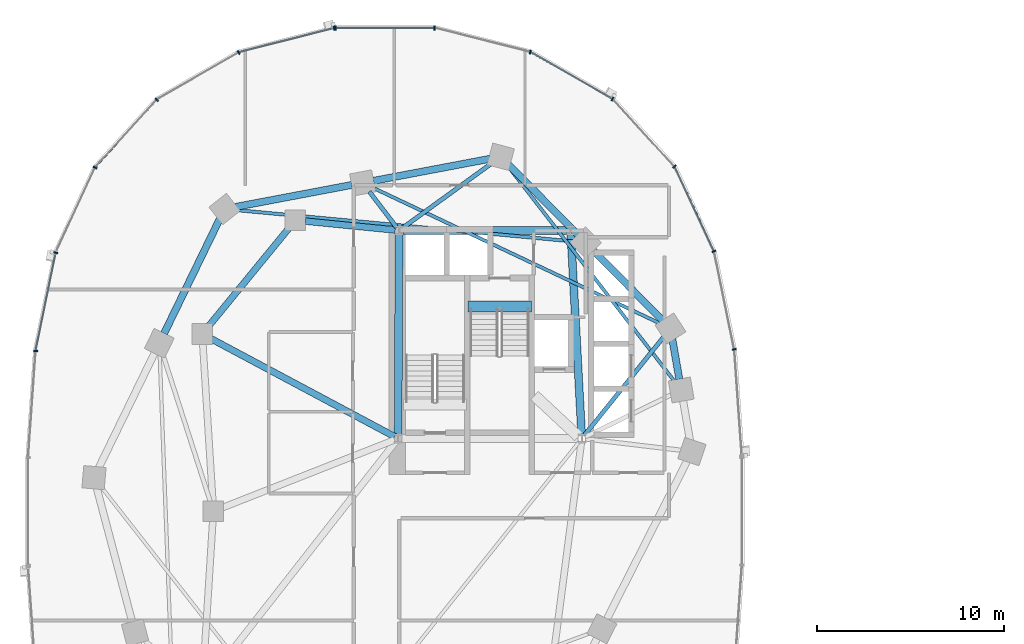
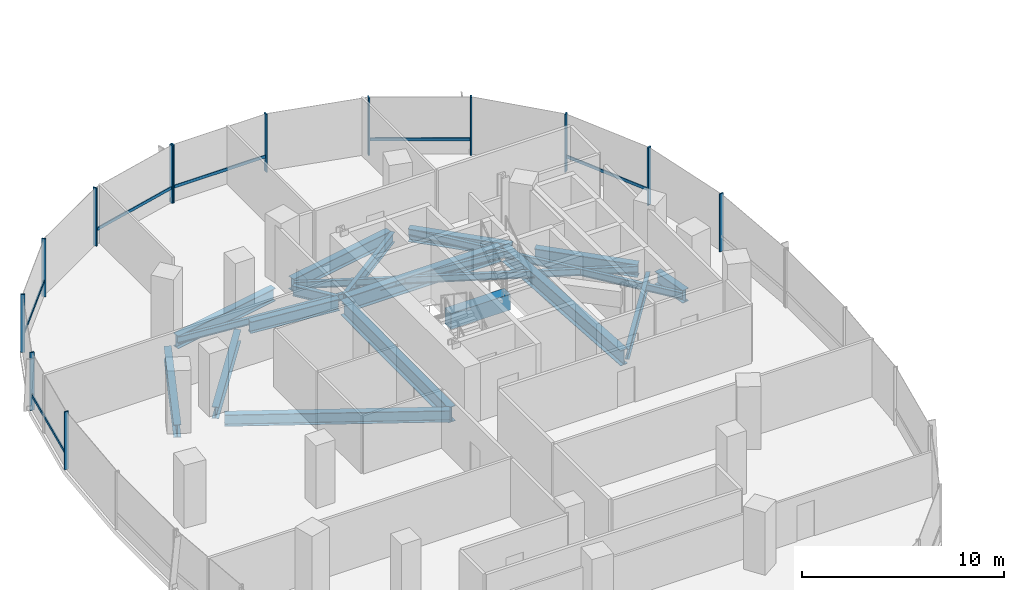
# One storey, part 4 of 21: 19 beams, 19 members, 2 elements without a shape of their own.
"""IFC4 building model written with IfcOpenShell, lengths in metres."""

from ifc_helpers import new_model, si_unit, direction, frame, origin, origin_2d, place, context, subcontext, project, spatial, rectangle, i_section, extrude, material, material_profile, profile_set, type_object, element, aggregate, save


model = new_model("IFC4")

# Units and contexts
model_context = context("Model", 3, precision=1e-05, world=origin(), true_north=direction((0.0, 1.0)))
body_context = subcontext(model_context, "Body", "Model", "MODEL_VIEW")
ifc_project = project(units=[si_unit("LENGTHUNIT", "METRE"), si_unit("AREAUNIT", "SQUARE_METRE"), si_unit("VOLUMEUNIT", "CUBIC_METRE"), si_unit("PLANEANGLEUNIT", "RADIAN"), si_unit("MASSUNIT", "GRAM", prefix="KILO"), si_unit("THERMODYNAMICTEMPERATUREUNIT", "KELVIN"), si_unit("POWERUNIT", "WATT")], contexts=[model_context])

# Site, building, storey
site_placement = place(None, origin())
site = spatial("IfcSite", under=ifc_project, at=site_placement, CompositionType="ELEMENT")
building_placement = place(site_placement, origin())
building = spatial("IfcBuilding", under=site, at=building_placement, Name="Cundina Bronze Exchange", CompositionType="ELEMENT")
storey_placement = place(building_placement, frame((0.0, 0.0, 65.800048828125)))
storey = spatial("IfcBuildingStorey", under=building, at=storey_placement, Name="L16", CompositionType="ELEMENT", Elevation=65.800048828125)

# Beams
ifc_material_1 = material(Name="Concrete C60/75", Category="concrete")
ifc_material_profile_1 = material_profile(ifc_material_1, rectangle(XDim=0.60009765625, YDim=0.949951171875, at=origin_2d()), Name="RC600X950", Category="concrete")
ifc_profile_set_1 = profile_set([ifc_material_profile_1], Name="Concrete C60/75")
beam_type_1 = type_object("IfcBeamType", Name="BM-COUP-RC950", PredefinedType="LINTEL", material=ifc_profile_set_1)
beam_1_placement = place(storey_placement, frame((-27.56005859375, 10.97998046875, -0.47509765625), z_axis=(1.0, 0.0, 0.0), x_axis=(0.0, 1.0, 0.0)))
element("IfcBeam", 1, at=beam_1_placement, inside=storey, type_object=beam_type_1, Name="L16 Stair W2 Landing Header Beam", PredefinedType="LINTEL", context=body_context, shape_type="SweptSolid", body=[
    extrude(rectangle(XDim=0.60009765625, YDim=0.949951171875, at=origin_2d()), origin(), (0.0, 0.0, 1.0), 3.400146484375),
])
ifc_material_2 = material(Name="Steel ASTM A992 Grade 50", Category="steel")
ifc_material_profile_2 = material_profile(ifc_material_2, i_section(OverallWidth=0.22998046875, OverallDepth=0.616943359375, WebThickness=0.01318359375, FlangeThickness=0.022216796875, FilletRadius=0.013916015625, at=origin_2d()), Name="W24X94", Category="steel")
ifc_profile_set_2 = profile_set([ifc_material_profile_2], Name="Steel ASTM A992 Grade 50")
beam_type_2 = type_object("IfcBeamType", Name="BM-FLR-W24B", PredefinedType="BEAM", material=ifc_profile_set_2)
beam_2_placement = place(storey_placement, frame((-21.322021484375, 4.058837890625, -0.608642578125), z_axis=(0.627106366175, 0.778933633568, 0.0), x_axis=(-0.778933633568, 0.627106366175, 0.0)))
element("IfcBeam", 2, at=beam_2_placement, inside=storey, type_object=beam_type_2, Name="L16 Leg W Radial Floor Beam 02", PredefinedType="BEAM", context=body_context, shape_type="SweptSolid", body=[
    extrude(i_section(OverallWidth=0.22998046875, OverallDepth=0.616943359375, WebThickness=0.01318359375, FlangeThickness=0.022216796875, FilletRadius=0.013916015625, at=origin_2d()), origin(), (0.0, 0.0, 1.0), 6.78271484375),
])
beam_3_placement = place(storey_placement, frame((-31.084716796875, 15.169677734375, -0.608642578125), z_axis=(0.809700299677, 0.586843611794, 0.0), x_axis=(-0.586843611794, 0.809700299677, 0.0)))
element("IfcBeam", 3, at=beam_3_placement, inside=storey, type_object=beam_type_2, Name="L16 Leg W Radial Floor Beam 04", PredefinedType="BEAM", context=body_context, shape_type="SweptSolid", body=[
    extrude(i_section(OverallWidth=0.22998046875, OverallDepth=0.616943359375, WebThickness=0.01318359375, FlangeThickness=0.022216796875, FilletRadius=0.013916015625, at=origin_2d()), origin(), (0.0, 0.0, 1.0), 5.938720703125),
])
beam_4_placement = place(storey_placement, frame((-31.373779296875, 15.2119140625, -0.608642578125), z_axis=(-0.607468844289, 0.794343504548, 0.0), x_axis=(-0.794343504548, -0.607468844289, 0.0)))
element("IfcBeam", 4, at=beam_4_placement, inside=storey, type_object=beam_type_2, Name="L16 Leg W Radial Floor Beam 05", PredefinedType="BEAM", context=body_context, shape_type="SweptSolid", body=[
    extrude(i_section(OverallWidth=0.22998046875, OverallDepth=0.616943359375, WebThickness=0.01318359375, FlangeThickness=0.022216796875, FilletRadius=0.013916015625, at=origin_2d()), origin(), (0.0, 0.0, 1.0), 2.418212890625),
])
ifc_material_profile_3 = material_profile(ifc_material_2, i_section(OverallWidth=0.178955078125, OverallDepth=0.409912109375, WebThickness=0.0087890625, FlangeThickness=0.014404296875, FilletRadius=0.010986328125, at=origin_2d()), Name="W16X45", Category="steel")
ifc_profile_set_3 = profile_set([ifc_material_profile_3], Name="Steel ASTM A992 Grade 50")
beam_type_3 = type_object("IfcBeamType", Name="BM-JST-W16", PredefinedType="JOIST", material=ifc_profile_set_3)
beam_5_placement = place(storey_placement, frame((-16.48486328125, 6.965087890625, -0.505126953125), z_axis=(-0.612089386305, 0.790788583108, 0.0), x_axis=(-0.790788583108, -0.612089386305, 0.0)))
element("IfcBeam", 5, at=beam_5_placement, inside=storey, type_object=beam_type_3, Name="L16 Leg W Lobe Floor Joist 01-04", PredefinedType="JOIST", context=body_context, shape_type="SweptSolid", body=[
    extrude(i_section(OverallWidth=0.178955078125, OverallDepth=0.409912109375, WebThickness=0.0087890625, FlangeThickness=0.014404296875, FilletRadius=0.010986328125, at=origin_2d()), origin(), (0.0, 0.0, 1.0), 14.630859375),
])
beam_6_placement = place(storey_placement, frame((-17.231689453125, 10.05126953125, -0.505126953125), z_axis=(-0.904072668297, 0.427378766949, 0.0), x_axis=(-0.427378766949, -0.904072668297, 0.0)))
element("IfcBeam", 6, at=beam_6_placement, inside=storey, type_object=beam_type_3, Name="L16 Leg W Lobe Floor Joist 02-05", PredefinedType="JOIST", context=body_context, shape_type="SweptSolid", body=[
    extrude(i_section(OverallWidth=0.178955078125, OverallDepth=0.409912109375, WebThickness=0.0087890625, FlangeThickness=0.014404296875, FilletRadius=0.010986328125, at=origin_2d()), origin(), (0.0, 0.0, 1.0), 17.07470703125),
])
beam_7_placement = place(storey_placement, frame((-21.83544921875, 14.45458984375, -0.505126953125), z_axis=(-0.995701961644, 0.09261535282, 0.0), x_axis=(-0.09261535282, -0.995701961644, 0.0)))
element("IfcBeam", 7, at=beam_7_placement, inside=storey, type_object=beam_type_3, Name="L16 Leg W Lobe Floor Joist 03-06", PredefinedType="JOIST", context=body_context, shape_type="SweptSolid", body=[
    extrude(i_section(OverallWidth=0.178955078125, OverallDepth=0.409912109375, WebThickness=0.0087890625, FlangeThickness=0.014404296875, FilletRadius=0.010986328125, at=origin_2d()), origin(), (0.0, 0.0, 1.0), 18.25732421875),
])
ifc_material_profile_4 = material_profile(ifc_material_2, i_section(OverallWidth=0.35498046875, OverallDepth=0.695068359375, WebThickness=0.015380859375, FlangeThickness=0.02490234375, FilletRadius=0.01806640625, at=origin_2d()), Name="W27X146", Category="steel")
ifc_profile_set_4 = profile_set([ifc_material_profile_4], Name="Steel ASTM A992 Grade 50")
beam_type_4 = type_object("IfcBeamType", Name="BM-RING-W27", PredefinedType="USERDEFINED", material=ifc_profile_set_4)
beam_8_placement = place(storey_placement, frame((-31.452880859375, 15.070068359375, -0.6474609375), z_axis=(-0.995126271817, 0.098608839051, 0.0), x_axis=(-0.098608839051, -0.995126271817, 0.0)))
element("IfcBeam", 8, at=beam_8_placement, inside=storey, type_object=beam_type_4, Name="L16 W Inner Structural Ring Girder 01", ObjectType="GIRDER", PredefinedType="USERDEFINED", context=body_context, shape_type="SweptSolid", body=[
    extrude(i_section(OverallWidth=0.35498046875, OverallDepth=0.695068359375, WebThickness=0.015380859375, FlangeThickness=0.02490234375, FilletRadius=0.01806640625, at=origin_2d()), origin(), (0.0, 0.0, 1.0), 4.83544921875),
])
beam_9_placement = place(storey_placement, frame((-37.14111328125, 15.183837890625, -0.6474609375), z_axis=(-0.633926549035, -0.773393257295, 0.0), x_axis=(0.773393257295, -0.633926549035, 0.0)))
element("IfcBeam", 9, at=beam_9_placement, inside=storey, type_object=beam_type_4, Name="L16 W Inner Structural Ring Girder 02", ObjectType="GIRDER", PredefinedType="USERDEFINED", context=body_context, shape_type="SweptSolid", body=[
    extrude(i_section(OverallWidth=0.35498046875, OverallDepth=0.695068359375, WebThickness=0.015380859375, FlangeThickness=0.02490234375, FilletRadius=0.01806640625, at=origin_2d()), origin(), (0.0, 0.0, 1.0), 6.811279296875),
])
beam_10_placement = place(storey_placement, frame((-31.47998046875, 3.99609375, -0.6474609375), z_axis=(-0.882354758239, 0.470584828286, 0.0), x_axis=(-0.470584828286, -0.882354758239, 0.0)))
element("IfcBeam", 10, at=beam_10_placement, inside=storey, type_object=beam_type_4, Name="L16 W Core-to-Waist Tie Beam 2", ObjectType="GIRDER", PredefinedType="USERDEFINED", context=body_context, shape_type="SweptSolid", body=[
    extrude(i_section(OverallWidth=0.35498046875, OverallDepth=0.695068359375, WebThickness=0.015380859375, FlangeThickness=0.02490234375, FilletRadius=0.01806640625, at=origin_2d()), origin(), (0.0, 0.0, 1.0), 11.157958984375),
])
ifc_material_profile_5 = material_profile(ifc_material_2, i_section(OverallWidth=0.381103515625, OverallDepth=0.77294921875, WebThickness=0.0166015625, FlangeThickness=0.027099609375, FilletRadius=0.01904296875, at=origin_2d()), Name="W30X173", Category="steel")
ifc_profile_set_5 = profile_set([ifc_material_profile_5], Name="Steel ASTM A992 Grade 50")
beam_type_5 = type_object("IfcBeamType", Name="BM-RING-W30", PredefinedType="USERDEFINED", material=ifc_profile_set_5)
beam_11_placement = place(storey_placement, frame((-16.225830078125, 7.079345703125, -0.6865234375), z_axis=(-0.171734584051, 0.985143254883, 0.0), x_axis=(-0.985143254883, -0.171734584051, 0.0)))
element("IfcBeam", 11, at=beam_11_placement, inside=storey, type_object=beam_type_5, Name="L16 W Perimeter Ring Girder 01", ObjectType="GIRDER", PredefinedType="USERDEFINED", context=body_context, shape_type="SweptSolid", body=[
    extrude(i_section(OverallWidth=0.381103515625, OverallDepth=0.77294921875, WebThickness=0.0166015625, FlangeThickness=0.027099609375, FilletRadius=0.01904296875, at=origin_2d()), origin(), (0.0, 0.0, 1.0), 2.173583984375),
])
for number, where, z_axis, x_axis, name in (
    (12, (-17.113525390625, 10.218017578125, -0.6865234375), (-0.703222428859, 0.710969911845, 0.0), (-0.710969911845, -0.703222428859, 0.0), "L16 W Perimeter Ring Girder 02"),
    (13, (-21.66357421875, 14.818115234375, -0.6865234375), (-0.703222428859, 0.710969911845, 0.0), (-0.710969911845, -0.703222428859, 0.0), "L16 W Perimeter Ring Girder 03"),
):
    element("IfcBeam", number, at=place(storey_placement, frame(where, z_axis=z_axis, x_axis=x_axis)), inside=storey, type_object=beam_type_5, Name=name, ObjectType="GIRDER", PredefinedType="USERDEFINED", context=body_context, shape_type="SweptSolid", body=[
        extrude(i_section(OverallWidth=0.381103515625, OverallDepth=0.77294921875, WebThickness=0.0166015625, FlangeThickness=0.027099609375, FilletRadius=0.01904296875, at=origin_2d()), origin(), (0.0, 0.0, 1.0), 5.2939453125),
    ])
beam_12_placement = place(storey_placement, frame((-26.377685546875, 18.890625, -0.6865234375), z_axis=(-0.982570814598, -0.185888661031, 0.0), x_axis=(0.185888661031, -0.982570814598, 0.0)))
element("IfcBeam", 14, at=beam_12_placement, inside=storey, type_object=beam_type_5, Name="L16 W Perimeter Ring Girder 04", ObjectType="GIRDER", PredefinedType="USERDEFINED", context=body_context, shape_type="SweptSolid", body=[
    extrude(i_section(OverallWidth=0.381103515625, OverallDepth=0.77294921875, WebThickness=0.0166015625, FlangeThickness=0.027099609375, FilletRadius=0.01904296875, at=origin_2d()), origin(), (0.0, 0.0, 1.0), 6.35546875),
])
beam_13_placement = place(storey_placement, frame((-33.77783203125, 17.49072265625, -0.6865234375), z_axis=(-0.982569487119, -0.185895677686, 0.0), x_axis=(0.185895677686, -0.982569487119, 0.0)))
element("IfcBeam", 15, at=beam_13_placement, inside=storey, type_object=beam_type_5, Name="L16 W Perimeter Ring Girder 05", ObjectType="GIRDER", PredefinedType="USERDEFINED", context=body_context, shape_type="SweptSolid", body=[
    extrude(i_section(OverallWidth=0.381103515625, OverallDepth=0.77294921875, WebThickness=0.0166015625, FlangeThickness=0.027099609375, FilletRadius=0.01904296875, at=origin_2d()), origin(), (0.0, 0.0, 1.0), 6.355224609375),
])
beam_14_placement = place(storey_placement, frame((-40.857177734375, 15.671142578125, -0.6865234375), z_axis=(-0.437190698904, -0.899368830231, 0.0), x_axis=(0.899368830231, -0.437190698904, 0.0)))
element("IfcBeam", 16, at=beam_14_placement, inside=storey, type_object=beam_type_5, Name="L16 W Perimeter Ring Girder 06", ObjectType="GIRDER", PredefinedType="USERDEFINED", context=body_context, shape_type="SweptSolid", body=[
    extrude(i_section(OverallWidth=0.381103515625, OverallDepth=0.77294921875, WebThickness=0.0166015625, FlangeThickness=0.027099609375, FilletRadius=0.01904296875, at=origin_2d()), origin(), (0.0, 0.0, 1.0), 6.82958984375),
])
ifc_material_profile_6 = material_profile(ifc_material_2, i_section(OverallWidth=0.41796875, OverallDepth=0.927001953125, WebThickness=0.019287109375, FlangeThickness=0.031982421875, FilletRadius=0.02392578125, at=origin_2d()), Name="W36X231", Category="steel")
ifc_profile_set_6 = profile_set([ifc_material_profile_6], Name="Steel ASTM A992 Grade 50")
beam_type_6 = type_object("IfcBeamType", Name="BM-WRN-W36B", PredefinedType="USERDEFINED", material=ifc_profile_set_6)
beam_15_placement = place(storey_placement, frame((-21.4609375, 4.103759765625, -0.763427734375), z_axis=(-0.053739193498, 0.998555005537, 0.0), x_axis=(-0.998555005537, -0.053739193498, 0.0)))
element("IfcBeam", 17, at=beam_15_placement, inside=storey, type_object=beam_type_6, Name="L16 W Core Perimeter Tie Girder 2", ObjectType="GIRDER", PredefinedType="USERDEFINED", context=body_context, shape_type="SweptSolid", body=[
    extrude(i_section(OverallWidth=0.41796875, OverallDepth=0.927001953125, WebThickness=0.019287109375, FlangeThickness=0.031982421875, FilletRadius=0.02392578125, at=origin_2d()), origin(), (0.0, 0.0, 1.0), 10.758056640625),
])
beam_16_placement = place(storey_placement, frame((-22.25390625, 15.050048828125, -0.763427734375), z_axis=(-1.0, 0.0, 0.0), x_axis=(0.0, -1.0, 0.0)))
element("IfcBeam", 18, at=beam_16_placement, inside=storey, type_object=beam_type_6, Name="L16 W Core Perimeter Tie Girder 3", ObjectType="GIRDER", PredefinedType="USERDEFINED", context=body_context, shape_type="SweptSolid", body=[
    extrude(i_section(OverallWidth=0.41796875, OverallDepth=0.927001953125, WebThickness=0.019287109375, FlangeThickness=0.031982421875, FilletRadius=0.02392578125, at=origin_2d()), origin(), (0.0, 0.0, 1.0), 8.7919921875),
])
beam_17_placement = place(storey_placement, frame((-31.2509765625, 14.845947265625, -0.763427734375), z_axis=(-0.004477329608, -0.99998997671, 0.0), x_axis=(0.99998997671, -0.004477329608, 0.0)))
element("IfcBeam", 19, at=beam_17_placement, inside=storey, type_object=beam_type_6, Name="L16 W Core Perimeter Tie Girder 4", ObjectType="GIRDER", PredefinedType="USERDEFINED", context=body_context, shape_type="SweptSolid", body=[
    extrude(i_section(OverallWidth=0.41796875, OverallDepth=0.927001953125, WebThickness=0.019287109375, FlangeThickness=0.031982421875, FilletRadius=0.02392578125, at=origin_2d()), origin(), (0.0, 0.0, 1.0), 10.741943359375),
])

# Curtain wall, members
ifc_material_3 = material(Name="Anodised Bronze Aluminium 6063-T6", Category="aluminium")
curtain_wall_type = type_object("IfcCurtainWallType", Name="CWS-TRD-LOW", PredefinedType="NOTDEFINED", material=ifc_material_3)
curtain_wall_1_placement = place(storey_placement, origin())
curtain_wall_1 = element("IfcCurtainWall", 20, at=curtain_wall_1_placement, inside=storey, type_object=curtain_wall_type, Name="L16 CW-02 Curtain Wall Run CWR-L16-W1", PredefinedType="NOTDEFINED")
ifc_material_profile_7 = material_profile(ifc_material_3, rectangle(XDim=0.074951171875, YDim=0.219970703125, at=origin_2d()), Name="AL75X220", Category="aluminium")
ifc_profile_set_7 = profile_set([ifc_material_profile_7], Name="Anodised Bronze Aluminium 6063-T6")
member_type_1 = type_object("IfcMemberType", Name="CWM-MUL-220", PredefinedType="MULLION", material=ifc_profile_set_7)
member_1_placement = place(storey_placement, frame((-13.282958984375, 8.67822265625, 0.0), z_axis=(0.0, 0.0, 1.0), x_axis=(-0.201419845156, 0.979505000486, 0.0)))
member_1 = element("IfcMember", 21, at=member_1_placement, type_object=member_type_1, Name="CW-02 Mullion 2", PredefinedType="MULLION", context=body_context, shape_type="SweptSolid", body=[
    extrude(rectangle(XDim=0.074951171875, YDim=0.219970703125, at=origin_2d()), origin(), (0.0, 0.0, 1.0), 3.5),
])
member_2_placement = place(storey_placement, frame((-14.3720703125, 13.931884765625, 0.0), z_axis=(0.0, 0.0, 1.0), x_axis=(-0.42087749791, 0.907117485088, 0.0)))
member_2 = element("IfcMember", 22, at=member_2_placement, type_object=member_type_1, Name="CW-02 Mullion 3", PredefinedType="MULLION", context=body_context, shape_type="SweptSolid", body=[
    extrude(rectangle(XDim=0.074951171875, YDim=0.219970703125, at=origin_2d()), origin(), (0.0, 0.0, 1.0), 3.5),
])
member_3_placement = place(storey_placement, frame((-16.491455078125, 18.47705078125, 0.0), z_axis=(0.0, 0.0, 1.0), x_axis=(-0.674302387584, 0.738455340626, 0.0)))
member_3 = element("IfcMember", 23, at=member_3_placement, type_object=member_type_1, Name="CW-02 Mullion 4", PredefinedType="MULLION", context=body_context, shape_type="SweptSolid", body=[
    extrude(rectangle(XDim=0.074951171875, YDim=0.219970703125, at=origin_2d()), origin(), (0.0, 0.0, 1.0), 3.5),
])
member_4_placement = place(storey_placement, frame((-19.810302734375, 22.097412109375, 0.0), z_axis=(0.0, 0.0, 1.0), x_axis=(-0.867070701164, 0.498185105339, 0.0)))
member_4 = element("IfcMember", 24, at=member_4_placement, type_object=member_type_1, Name="CW-02 Mullion 5", PredefinedType="MULLION", context=body_context, shape_type="SweptSolid", body=[
    extrude(rectangle(XDim=0.074951171875, YDim=0.219970703125, at=origin_2d()), origin(), (0.0, 0.0, 1.0), 3.5),
])
member_5_placement = place(storey_placement, frame((-24.21484375, 24.61669921875, 0.0), z_axis=(0.0, 0.0, 1.0), x_axis=(-0.969488149345, 0.245138182011, 0.0)))
member_5 = element("IfcMember", 25, at=member_5_placement, type_object=member_type_1, Name="CW-02 Mullion 6", PredefinedType="MULLION", context=body_context, shape_type="SweptSolid", body=[
    extrude(rectangle(XDim=0.074951171875, YDim=0.219970703125, at=origin_2d()), origin(), (0.0, 0.0, 1.0), 3.5),
])
member_6_placement = place(storey_placement, frame((-29.345458984375, 25.905029296875, 0.0), z_axis=(0.0, 0.0, 1.0), x_axis=(-1.0, 0.0, 0.0)))
member_6 = element("IfcMember", 26, at=member_6_placement, type_object=member_type_1, Name="CW-02 Mullion 7", PredefinedType="MULLION", context=body_context, shape_type="SweptSolid", body=[
    extrude(rectangle(XDim=0.074951171875, YDim=0.219970703125, at=origin_2d()), origin(), (0.0, 0.0, 1.0), 3.5),
])
member_7_placement = place(storey_placement, frame((-34.654541015625, 25.905029296875, 0.0), z_axis=(0.0, 0.0, 1.0), x_axis=(-1.0, 0.0, 0.0)))
member_7 = element("IfcMember", 27, at=member_7_placement, type_object=member_type_1, Name="CW-02 End Mullion", PredefinedType="MULLION", context=body_context, shape_type="SweptSolid", body=[
    extrude(rectangle(XDim=0.074951171875, YDim=0.219970703125, at=origin_2d()), origin(), (0.0, 0.0, 1.0), 3.5),
])

curtain_wall_2_placement = place(storey_placement, origin())
curtain_wall_2 = element("IfcCurtainWall", 28, at=curtain_wall_2_placement, inside=storey, type_object=curtain_wall_type, Name="L16 CW-02 Curtain Wall Run CWR-L16-W2", PredefinedType="NOTDEFINED")
member_8_placement = place(storey_placement, frame((-34.72607421875, 25.89599609375, 0.0), z_axis=(0.0, 0.0, 1.0), x_axis=(-0.969488149345, -0.245138182011, 0.0)))
member_8 = element("IfcMember", 29, at=member_8_placement, type_object=member_type_1, Name="CW-02 Mullion 1", PredefinedType="MULLION", context=body_context, shape_type="SweptSolid", body=[
    extrude(rectangle(XDim=0.074951171875, YDim=0.219970703125, at=origin_2d()), origin(), (0.0, 0.0, 1.0), 3.5),
])
member_9_placement = place(storey_placement, frame((-39.848876953125, 24.591064453125, 0.0), z_axis=(0.0, 0.0, 1.0), x_axis=(-0.867070701164, -0.498185105339, 0.0)))
member_9 = element("IfcMember", 30, at=member_9_placement, type_object=member_type_1, Name="CW-02 Mullion 2", PredefinedType="MULLION", context=body_context, shape_type="SweptSolid", body=[
    extrude(rectangle(XDim=0.074951171875, YDim=0.219970703125, at=origin_2d()), origin(), (0.0, 0.0, 1.0), 3.5),
])
member_10_placement = place(storey_placement, frame((-44.239501953125, 22.0576171875, 0.0), z_axis=(0.0, 0.0, 1.0), x_axis=(-0.674302387584, -0.738455340626, 0.0)))
member_10 = element("IfcMember", 31, at=member_10_placement, type_object=member_type_1, Name="CW-02 Mullion 3", PredefinedType="MULLION", context=body_context, shape_type="SweptSolid", body=[
    extrude(rectangle(XDim=0.074951171875, YDim=0.219970703125, at=origin_2d()), origin(), (0.0, 0.0, 1.0), 3.5),
])
member_11_placement = place(storey_placement, frame((-47.544189453125, 18.423583984375, 0.0), z_axis=(0.0, 0.0, 1.0), x_axis=(-0.42087749791, -0.907117485088, 0.0)))
member_11 = element("IfcMember", 32, at=member_11_placement, type_object=member_type_1, Name="CW-02 Mullion 4", PredefinedType="MULLION", context=body_context, shape_type="SweptSolid", body=[
    extrude(rectangle(XDim=0.074951171875, YDim=0.219970703125, at=origin_2d()), origin(), (0.0, 0.0, 1.0), 3.5),
])
member_12_placement = place(storey_placement, frame((-49.651123046875, 13.861328125, 0.0), z_axis=(0.0, 0.0, 1.0), x_axis=(-0.201419845156, -0.979505000486, 0.0)))
member_12 = element("IfcMember", 33, at=member_12_placement, type_object=member_type_1, Name="CW-02 Mullion 5", PredefinedType="MULLION", context=body_context, shape_type="SweptSolid", body=[
    extrude(rectangle(XDim=0.074951171875, YDim=0.219970703125, at=origin_2d()), origin(), (0.0, 0.0, 1.0), 3.5),
])
member_13_placement = place(storey_placement, frame((-50.72900390625, 8.591552734375, 0.0), z_axis=(0.0, 0.0, 1.0), x_axis=(-0.070278787473, -0.997527389113, 0.0)))
member_13 = element("IfcMember", 34, at=member_13_placement, type_object=member_type_1, Name="CW-02 Mullion 6", PredefinedType="MULLION", context=body_context, shape_type="SweptSolid", body=[
    extrude(rectangle(XDim=0.074951171875, YDim=0.219970703125, at=origin_2d()), origin(), (0.0, 0.0, 1.0), 3.5),
])

# Member
ifc_material_profile_8 = material_profile(ifc_material_3, rectangle(XDim=0.070068359375, YDim=0.179931640625, at=origin_2d()), Name="AL70X180", Category="aluminium")
ifc_profile_set_8 = profile_set([ifc_material_profile_8], Name="Anodised Bronze Aluminium 6063-T6")
member_type_2 = type_object("IfcMemberType", Name="CWM-TRN-180", PredefinedType="USERDEFINED", material=ifc_profile_set_8)
member_14_placement = place(storey_placement, frame((-14.389404296875, 13.96923828125, 0.919921875), z_axis=(-0.420811422796, 0.907148139195, 0.0), x_axis=(-0.907148139195, -0.420811422796, 0.0)))
member_14 = element("IfcMember", 35, at=member_14_placement, type_object=member_type_2, Name="CW-02 Spandrel Transom 3", ObjectType="TRANSOM", PredefinedType="USERDEFINED", context=body_context, shape_type="SweptSolid", body=[
    extrude(rectangle(XDim=0.070068359375, YDim=0.179931640625, at=origin_2d()), origin(), (0.0, 0.0, 1.0), 4.95166015625),
])

member_15_placement = place(storey_placement, frame((-19.845947265625, 22.117919921875, 0.919921875), z_axis=(-0.867097475651, 0.498138502546, 0.0), x_axis=(-0.498138502546, -0.867097475651, 0.0)))
member_15 = element("IfcMember", 36, at=member_15_placement, type_object=member_type_2, Name="CW-02 Spandrel Transom 5", ObjectType="TRANSOM", PredefinedType="USERDEFINED", context=body_context, shape_type="SweptSolid", body=[
    extrude(rectangle(XDim=0.070068359375, YDim=0.179931640625, at=origin_2d()), origin(), (0.0, 0.0, 1.0), 5.00634765625),
])

member_16_placement = place(storey_placement, frame((-29.38671875, 25.905029296875, 0.919921875), z_axis=(-1.0, 0.0, 0.0), x_axis=(0.0, -1.0, 0.0)))
member_16 = element("IfcMember", 37, at=member_16_placement, type_object=member_type_2, Name="CW-02 Spandrel Transom 7", ObjectType="TRANSOM", PredefinedType="USERDEFINED", context=body_context, shape_type="SweptSolid", body=[
    extrude(rectangle(XDim=0.070068359375, YDim=0.179931640625, at=origin_2d()), origin(), (0.0, 0.0, 1.0), 5.2265625),
])

aggregate(curtain_wall_1, [member_1, member_2, member_14, member_3, member_4, member_15, member_5, member_6, member_7, member_16])

member_17_placement = place(storey_placement, frame((-34.76611328125, 25.885986328125, 0.919921875), z_axis=(-0.969483968866, -0.245154714644, 0.0), x_axis=(0.245154714644, -0.969483968866, 0.0)))
member_17 = element("IfcMember", 38, at=member_17_placement, type_object=member_type_2, Name="CW-02 Spandrel Transom 1", ObjectType="TRANSOM", PredefinedType="USERDEFINED", context=body_context, shape_type="SweptSolid", body=[
    extrude(rectangle(XDim=0.070068359375, YDim=0.179931640625, at=origin_2d()), origin(), (0.0, 0.0, 1.0), 5.21826171875),
])

member_18_placement = place(storey_placement, frame((-44.26708984375, 22.027099609375, 0.919921875), z_axis=(-0.674302794847, -0.738454968743, 0.0), x_axis=(0.738454968743, -0.674302794847, 0.0)))
member_18 = element("IfcMember", 39, at=member_18_placement, type_object=member_type_2, Name="CW-02 Spandrel Transom 3", ObjectType="TRANSOM", PredefinedType="USERDEFINED", context=body_context, shape_type="SweptSolid", body=[
    extrude(rectangle(XDim=0.070068359375, YDim=0.179931640625, at=origin_2d()), origin(), (0.0, 0.0, 1.0), 4.848388671875),
])

member_19_placement = place(storey_placement, frame((-49.659423828125, 13.821044921875, 0.919921875), z_axis=(-0.201427712708, -0.979503382615, 0.0), x_axis=(0.979503382615, -0.201427712708, 0.0)))
member_19 = element("IfcMember", 40, at=member_19_placement, type_object=member_type_2, Name="CW-02 Spandrel Transom 5", ObjectType="TRANSOM", PredefinedType="USERDEFINED", context=body_context, shape_type="SweptSolid", body=[
    extrude(rectangle(XDim=0.070068359375, YDim=0.179931640625, at=origin_2d()), origin(), (0.0, 0.0, 1.0), 5.291748046875),
])

aggregate(curtain_wall_2, [member_8, member_17, member_9, member_10, member_18, member_11, member_12, member_19, member_13])

save(model, "model.ifc")
